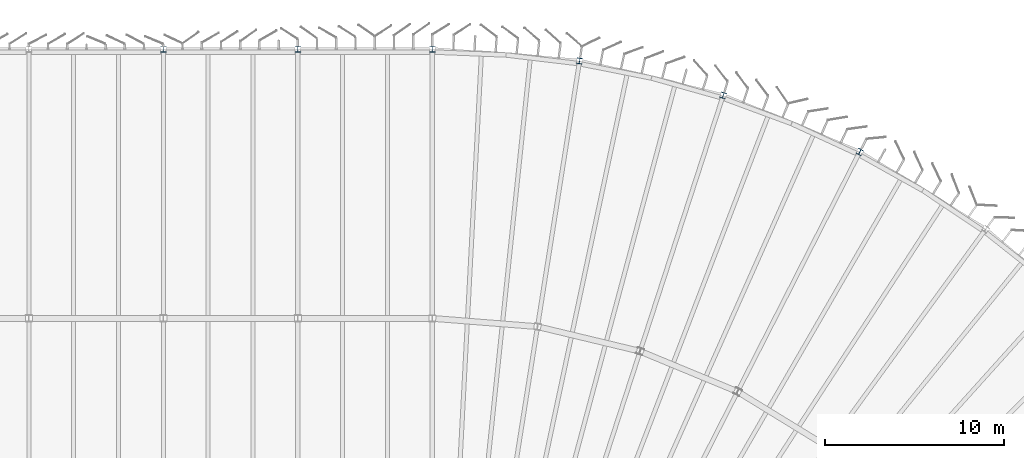
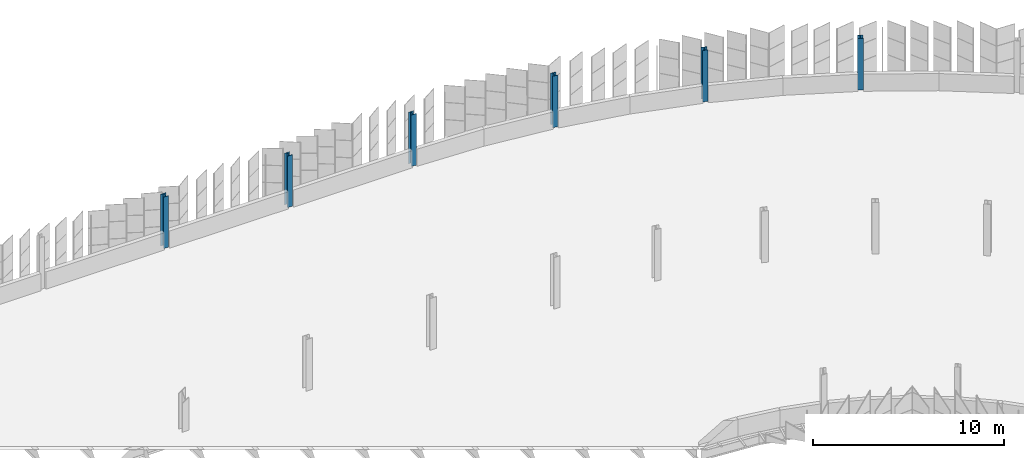
# One storey, part 34 of 214: 6 columns.
"""IFC4 building model written with IfcOpenShell, lengths in metres."""

from ifc_helpers import new_model, si_unit, direction, frame, origin, origin_2d, place, context, subcontext, project, spatial, i_section, extrude, material, material_profile, profile_set, type_object, element, save


model = new_model("IFC4")

# Units and contexts
model_context = context("Model", 3, precision=1e-05, world=origin(), true_north=direction((0.0, 1.0)))
body_context = subcontext(model_context, "Body", "Model", "MODEL_VIEW")
ifc_project = project(units=[si_unit("LENGTHUNIT", "METRE"), si_unit("AREAUNIT", "SQUARE_METRE"), si_unit("VOLUMEUNIT", "CUBIC_METRE"), si_unit("PLANEANGLEUNIT", "RADIAN"), si_unit("MASSUNIT", "GRAM", prefix="KILO")], contexts=[model_context])

# Site, building, storey
site_placement = place(None, origin())
site = spatial("IfcSite", under=ifc_project, at=site_placement, CompositionType="ELEMENT")
building_placement = place(site_placement, origin())
building = spatial("IfcBuilding", under=site, at=building_placement, Name="Parallax Yard Mobility Hub", CompositionType="ELEMENT")
storey_placement = place(building_placement, frame((0.0, 0.0, 3.300048828125)))
storey = spatial("IfcBuildingStorey", under=building, at=storey_placement, Name="L01", CompositionType="ELEMENT", Elevation=3.300048828125)

# Columns
ifc_material = material(Name="Steel ASTM A992", Category="steel")
ifc_material_profile = material_profile(ifc_material, i_section(OverallWidth=0.304931640625, OverallDepth=0.31201171875, WebThickness=0.010986328125, FlangeThickness=0.01708984375, FilletRadius=0.015380859375, at=origin_2d()), Name="W310x107")
ifc_profile_set = profile_set([ifc_material_profile], Name="Steel ASTM A992")
column_type = type_object("IfcColumnType", Name="W310x107 column", PredefinedType="COLUMN", material=ifc_profile_set)
for number, where, z_axis, x_axis, name in (
    (1, (157.5, 142.5, 0.0), (0.0, 0.0, 1.0), (1.0, 0.0, 0.0), "Column C2 level L01 at V/22 of ramped parking decks"),
    (2, (165.0, 142.5, 0.0), (0.0, 0.0, 1.0), (1.0, 0.0, 0.0), "Column C2 level L01 at V/23 of ramped parking decks"),
    (3, (172.5, 142.5, 0.0), (0.0, 0.0, 1.0), (1.0, 0.0, 0.0), "Column C2 level L01 at V/24 of ramped parking decks"),
    (4, (180.712890625, 141.853515625, 0.0), (0.0, 0.0, 1.0), (-0.987688340595, 0.15643446504, 0.0), "Column C2 level L01 at RC/R1 of ramped parking decks"),
    (5, (188.723388671875, 139.930419921875, 0.0), (0.0, 0.0, 1.0), (-0.951056516295, 0.309016994375, 0.0), "Column C2 level L01 at RC/R2 of ramped parking decks"),
    (6, (196.33447265625, 136.77783203125, 0.0), (0.0, 0.0, 1.0), (-0.891006524188, 0.45399049974, 0.0), "Column C2 level L01 at RC/R3 of ramped parking decks"),
):
    element("IfcColumn", number, at=place(storey_placement, frame(where, z_axis=z_axis, x_axis=x_axis)), inside=storey, type_object=column_type, Name=name, PredefinedType="COLUMN", context=body_context, shape_type="SweptSolid", body=[
        extrude(i_section(OverallWidth=0.304931640625, OverallDepth=0.31201171875, WebThickness=0.010986328125, FlangeThickness=0.01708984375, FilletRadius=0.015380859375, at=origin_2d()), origin(), (0.0, 0.0, 1.0), 3.300048828125),
    ])

save(model, "model.ifc")
